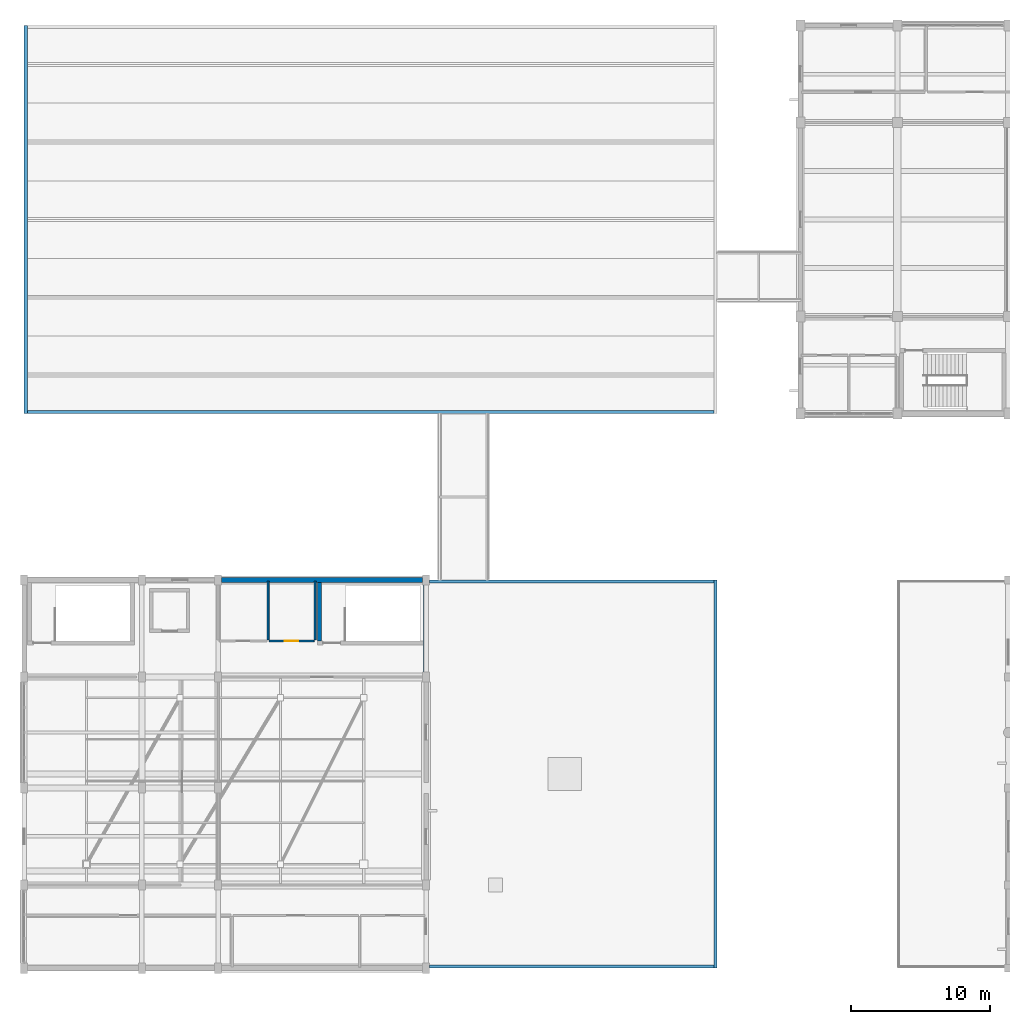
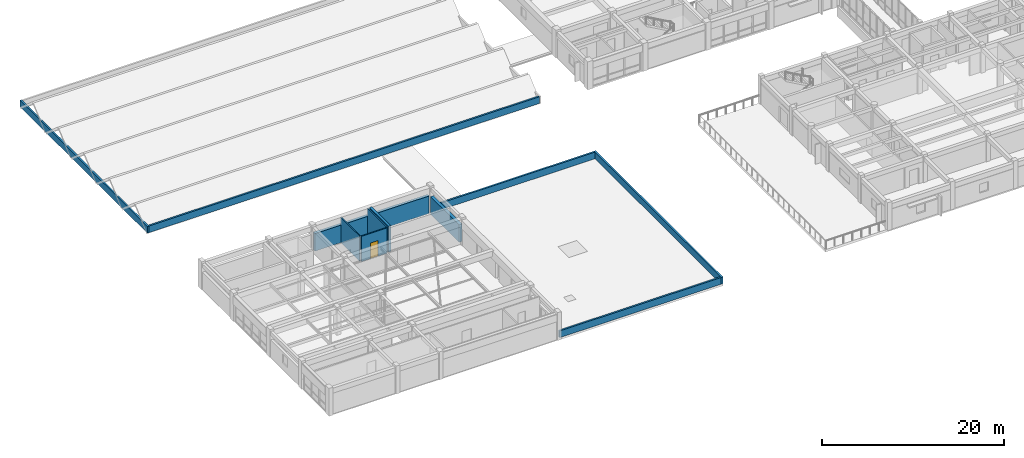
# One storey, part 26 of 42: 11 walls, 1 door, 1 opening.
"""IFC4 building model written with IfcOpenShell, lengths in metres."""

from ifc_helpers import new_model, si_unit, direction, frame, frame_2d, origin, place, context, subcontext, project, spatial, rectangle, extrude, material, layer, layer_set, type_object, element, fill, save


model = new_model("IFC4")

# Units and contexts
model_context = context("Model", 3, precision=1e-05, world=origin(), true_north=direction((0.0, 1.0)))
body_context = subcontext(model_context, "Body", "Model", "MODEL_VIEW")
ifc_project = project(units=[si_unit("LENGTHUNIT", "METRE"), si_unit("AREAUNIT", "SQUARE_METRE"), si_unit("VOLUMEUNIT", "CUBIC_METRE"), si_unit("PLANEANGLEUNIT", "RADIAN"), si_unit("MASSUNIT", "GRAM", prefix="KILO")], contexts=[model_context])

# Site, building, storey
site_placement = place(None, origin())
site = spatial("IfcSite", under=ifc_project, at=site_placement, CompositionType="ELEMENT")
building_placement = place(site_placement, origin())
building = spatial("IfcBuilding", under=site, at=building_placement, Name="Naurynzar Civic Courthouse", CompositionType="ELEMENT")
storey_placement = place(building_placement, frame((0.0, 0.0, 18.300048828125)))
storey = spatial("IfcBuildingStorey", under=building, at=storey_placement, Name="L05", CompositionType="ELEMENT", Elevation=18.300048828125)

# Walls
ifc_material_1 = material(Name="Concrete C40/50", Category="concrete")
ifc_layer_1 = layer(ifc_material_1, 0.300048828125)
ifc_layer_set_1 = layer_set([ifc_layer_1], Name="WL-CORE-300")
wall_type_1 = type_object("IfcWallType", Name="WL-CORE-300", PredefinedType="SHEAR", material=ifc_layer_set_1)
wall_1_placement = place(storey_placement, frame((27.300048828125, 31.804931640625, 0.0), z_axis=(0.0, 0.0, 1.0), x_axis=(0.0, -1.0, 0.0)))
element("IfcWall", 1, at=wall_1_placement, inside=storey, type_object=wall_type_1, Name="Stair ST-V4B enclosure wall west L05", PredefinedType="SHEAR", context=body_context, shape_type="SweptSolid", body=[
    extrude(rectangle(XDim=4.199951171875, YDim=0.300048828125, at=frame_2d((2.10009765625, 0.0))), origin(), (0.0, 0.0, 1.0), 3.469970703125),
])
ifc_material_2 = material(Name="Precast concrete C40/50", Category="concrete")
ifc_layer_2 = layer(ifc_material_2, 0.219970703125)
ifc_layer_set_2 = layer_set([ifc_layer_2], Name="WL-PARA-220")
wall_type_2 = type_object("IfcWallType", Name="WL-PARA-220", PredefinedType="PARAPET", material=ifc_layer_set_2)
wall_2_placement = place(storey_placement, frame((55.8798828125, 31.989990234375, 0.0), z_axis=(0.0, 0.0, 1.0), x_axis=(0.0, -1.0, 0.0)))
element("IfcWall", 2, at=wall_2_placement, inside=storey, type_object=wall_type_2, Name="Roof perimeter parapet V4-E5.5", PredefinedType="PARAPET", context=body_context, shape_type="SweptSolid", body=[
    extrude(rectangle(XDim=27.97998046875, YDim=0.219970703125, at=frame_2d((13.989990234375, 0.0))), origin(), (0.0, 0.0, 1.0), 0.89990234375),
])
for number, where, z_axis, x_axis, name in (
    (3, (35.22998046875, 31.8798828125, 0.0), (0.0, 0.0, 1.0), (1.0, 0.0, 0.0), "Roof perimeter parapet V4-E5.6"),
    (4, (55.77001953125, 4.1201171875, 0.0), (0.0, 0.0, 1.0), (-1.0, 0.0, 0.0), "Roof perimeter parapet V4-E5.7"),
):
    element("IfcWall", number, at=place(storey_placement, frame(where, z_axis=z_axis, x_axis=x_axis)), inside=storey, type_object=wall_type_2, Name=name, PredefinedType="PARAPET", context=body_context, shape_type="SweptSolid", body=[
        extrude(rectangle(XDim=20.5400390625, YDim=0.219970703125, at=frame_2d((10.27001953125, 0.0))), origin(), (0.0, 0.0, 1.0), 0.89990234375),
    ])
wall_3_placement = place(storey_placement, frame((6.1201171875, 44.010009765625, 0.0), z_axis=(0.0, 0.0, 1.0), x_axis=(0.0, 1.0, 0.0)))
element("IfcWall", 5, at=wall_3_placement, inside=storey, type_object=wall_type_2, Name="Roof perimeter parapet V1-RF.30", PredefinedType="PARAPET", context=body_context, shape_type="SweptSolid", body=[
    extrude(rectangle(XDim=27.97998046875, YDim=0.219970703125, at=frame_2d((13.989990234375, 0.0))), origin(), (0.0, 0.0, 1.0), 0.89990234375),
])
wall_4_placement = place(storey_placement, frame((55.77001953125, 44.1201171875, 0.0), z_axis=(0.0, 0.0, 1.0), x_axis=(-1.0, 0.0, 0.0)))
element("IfcWall", 6, at=wall_4_placement, inside=storey, type_object=wall_type_2, Name="Roof perimeter parapet V1-RF.33", PredefinedType="PARAPET", context=body_context, shape_type="SweptSolid", body=[
    extrude(rectangle(XDim=49.5400390625, YDim=0.219970703125, at=frame_2d((24.77001953125, 0.0))), origin(), (0.0, 0.0, 1.0), 0.89990234375),
])

# Wall, opening, door
ifc_material_3 = material(Name="Moisture-Resistant Plumbing Partition")
ifc_layer_3 = layer(ifc_material_3, 0.139892578125)
ifc_layer_set_3 = layer_set([ifc_layer_3], Name="WL-PART-WC-140")
wall_type_3 = type_object("IfcWallType", Name="WL-PART-WC-140", PredefinedType="PLUMBINGWALL", material=ifc_layer_set_3)
wall_5_placement = place(storey_placement, frame((23.679931640625, 27.60009765625, 0.0), z_axis=(0.0, 0.0, 1.0), x_axis=(1.0, 0.0, 0.0)))
wall_5 = element("IfcWall", 7, at=wall_5_placement, inside=storey, type_object=wall_type_3, Name="V4 interior partition L05.586", PredefinedType="PLUMBINGWALL", context=body_context, shape_type="SweptSolid", body=[
    extrude(rectangle(XDim=3.239990234375, YDim=0.139892578125, at=frame_2d((1.6201171875, 0.0))), origin(), (0.0, 0.0, 1.0), 3.389892578125),
])
opening_placement = place(wall_5_placement, frame((1.139892578125, 0.0, 0.0)))
opening = element("IfcOpeningElement", 8, at=opening_placement, cuts=wall_5, Name="Opening D-089", PredefinedType="OPENING", context=body_context, shape_type="SweptSolid", body=[
    extrude(rectangle(XDim=0.9599609375, YDim=2.10009765625, at=frame_2d((0.47998046875, 1.050048828125))), frame((0.0, 0.079833984375, 0.0), z_axis=(0.0, -1.0, 0.0), x_axis=(1.0, 0.0, 0.0)), (0.0, 0.0, 1.0), 0.159912109375),
])
ifc_material_4 = material(Name="Acoustic Oak Timber Grade A", Category="wood")
door_type = type_object("IfcDoorType", Name="DR-WC-ACC-960x2100", OperationType="NOTDEFINED", PredefinedType="DOOR", material=ifc_material_4)
door_placement = place(opening_placement, origin())
door = element("IfcDoor", 9, at=door_placement, inside=storey, type_object=door_type, Name="Interior door D-089 (Accessible WC V4)", OperationType="SINGLE_SWING_LEFT", OverallHeight=2.10009765625, OverallWidth=0.9599609375, PredefinedType="DOOR", context=body_context, shape_type="SweptSolid", body=[
    extrude(rectangle(XDim=0.9599609375, YDim=2.10009765625, at=frame_2d((0.47998046875, 1.050048828125))), frame((0.0, 0.02490234375, 0.0), z_axis=(0.0, -1.0, 0.0), x_axis=(1.0, 0.0, 0.0)), (0.0, 0.0, 1.0), 0.050048828125),
])
fill(opening, door)

# Walls
for number, where, z_axis, x_axis, name in (
    (10, (23.60009765625, 27.679931640625, 0.0), (0.0, 0.0, 1.0), (0.0, 1.0, 0.0), "V4 interior partition L05.618"),
    (11, (27.0, 27.679931640625, 0.0), (0.0, 0.0, 1.0), (0.0, 1.0, 0.0), "V4 interior partition L05.619"),
):
    element("IfcWall", number, at=place(storey_placement, frame(where, z_axis=z_axis, x_axis=x_axis)), inside=storey, type_object=wall_type_3, Name=name, PredefinedType="PLUMBINGWALL", context=body_context, shape_type="SweptSolid", body=[
        extrude(rectangle(XDim=4.239990234375, YDim=0.139892578125, at=frame_2d((2.1201171875, 0.0))), origin(), (0.0, 0.0, 1.0), 3.389892578125),
    ])
ifc_material_5 = material(Name="Concrete C40/50", Category="concrete")
ifc_layer_4 = layer(ifc_material_5, 0.3798828125)
ifc_layer_set_4 = layer_set([ifc_layer_4], Name="WL-RET-380")
wall_type_4 = type_object("IfcWallType", Name="WL-RET-380", PredefinedType="STANDARD", material=ifc_layer_set_4)
wall_6_placement = place(storey_placement, frame((20.25, 32.0, 0.0), z_axis=(0.0, 0.0, 1.0), x_axis=(1.0, 0.0, 0.0)))
element("IfcWall", 12, at=wall_6_placement, inside=storey, type_object=wall_type_4, Name="V4 exterior wall north L05.3.1", PredefinedType="STANDARD", context=body_context, shape_type="SweptSolid", body=[
    extrude(rectangle(XDim=14.5, YDim=0.3798828125, at=frame_2d((7.25, 0.0))), origin(), (0.0, 0.0, 1.0), 2.349853515625),
])
wall_7_placement = place(storey_placement, frame((35.0, 31.625, 0.0), z_axis=(0.0, 0.0, 1.0), x_axis=(0.0, -1.0, 0.0)))
element("IfcWall", 13, at=wall_7_placement, inside=storey, type_object=wall_type_4, Name="V4 exterior wall east L05.1.1", PredefinedType="STANDARD", context=body_context, shape_type="SweptSolid", body=[
    extrude(rectangle(XDim=6.25, YDim=0.3798828125, at=frame_2d((3.125, 0.0))), origin(), (0.0, 0.0, 1.0), 2.349853515625),
])

save(model, "model.ifc")
